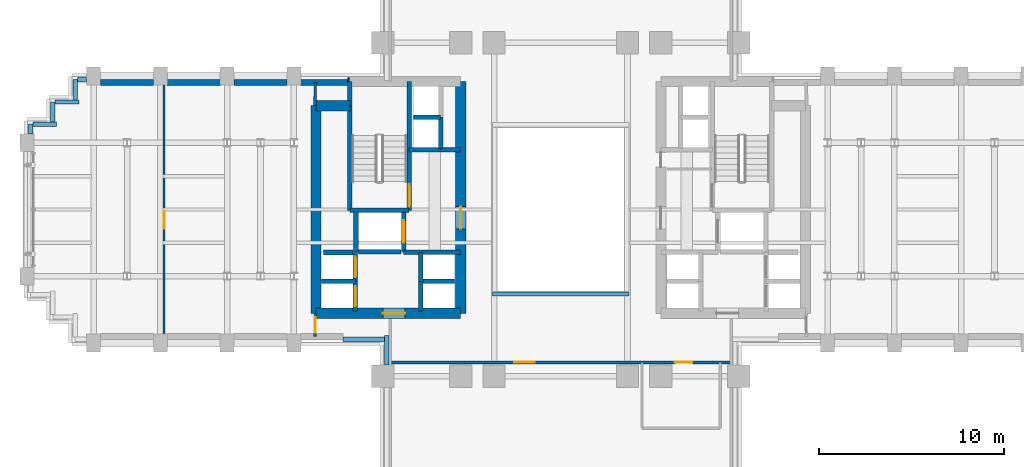
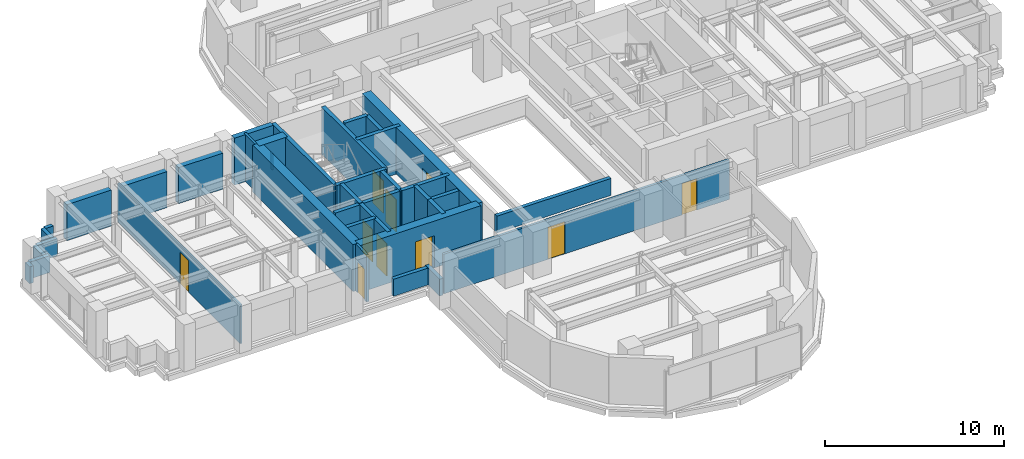
# One storey, part 10 of 16: 39 walls, 10 doors, 10 openings.
"""IFC4 building model written with IfcOpenShell, lengths in metres."""

from ifc_helpers import new_model, si_unit, direction, frame, frame_2d, origin, place, context, subcontext, project, spatial, rectangle, extrude, source, transform, mapped, material, layer, layer_set, type_object, element, fill, save


model = new_model("IFC4")

# Units and contexts
model_context = context("Model", 3, precision=1e-05, world=origin(), true_north=direction((0.0, 1.0)))
body_context = subcontext(model_context, "Body", "Model", "MODEL_VIEW")
ifc_project = project(units=[si_unit("LENGTHUNIT", "METRE"), si_unit("AREAUNIT", "SQUARE_METRE"), si_unit("VOLUMEUNIT", "CUBIC_METRE"), si_unit("PLANEANGLEUNIT", "RADIAN"), si_unit("MASSUNIT", "GRAM", prefix="KILO")], contexts=[model_context])

# Site, building, storey
site_placement = place(None, origin())
site = spatial("IfcSite", under=ifc_project, at=site_placement, CompositionType="ELEMENT")
building_placement = place(site_placement, origin())
building = spatial("IfcBuilding", under=site, at=building_placement, Name="Keilestroom Media Tower", CompositionType="ELEMENT")
storey_placement = place(building_placement, frame((0.0, 0.0, 64.60009765625)))
storey = spatial("IfcBuildingStorey", under=building, at=storey_placement, Name="L16", CompositionType="ELEMENT", Elevation=64.60009765625)

# Walls
ifc_material_1 = material(Name="Precast concrete C40/50", Category="concrete")
ifc_layer_1 = layer(ifc_material_1, 0.340087890625)
ifc_layer_set_1 = layer_set([ifc_layer_1], Name="Precast concrete C40/50")
wall_type_1 = type_object("IfcWallType", Name="Exterior-Masonry-Spandrel-Wall-340", PredefinedType="SOLIDWALL", material=ifc_layer_set_1)
for number, where, z_axis, x_axis, name in (
    (1, (-24.8330078125, 6.85009765625, 0.0), (0.0, 0.0, 1.0), (1.0, 0.0, 0.0), "L16 Flank Masonry Wall EWL-L16-NW-1"),
    (2, (-21.23291015625, 6.85009765625, 0.0), (0.0, 0.0, 1.0), (1.0, 0.0, 0.0), "L16 Flank Masonry Wall EWL-L16-NW-2"),
    (3, (-17.633056640625, 6.85009765625, 0.0), (0.0, 0.0, 1.0), (1.0, 0.0, 0.0), "L16 Flank Masonry Wall EWL-L16-NW-3"),
):
    element("IfcWall", number, at=place(storey_placement, frame(where, z_axis=z_axis, x_axis=x_axis)), inside=storey, type_object=wall_type_1, Name=name, PredefinedType="SOLIDWALL", context=body_context, shape_type="SweptSolid", body=[
        extrude(rectangle(XDim=2.865966796875, YDim=0.340087890625, at=frame_2d((1.43310546875, 0.0))), origin(), (0.0, 0.0, 1.0), 2.449951171875),
    ])
wall_1_placement = place(storey_placement, frame((-14.032958984375, 6.85009765625, 0.0), z_axis=(0.0, 0.0, 1.0), x_axis=(1.0, 0.0, 0.0)))
element("IfcWall", 4, at=wall_1_placement, inside=storey, type_object=wall_type_1, Name="L16 Flank Masonry Wall EWL-L16-NW-4", PredefinedType="SOLIDWALL", context=body_context, shape_type="SweptSolid", body=[
    extrude(rectangle(XDim=2.534912109375, YDim=0.340087890625, at=frame_2d((1.267578125, 0.0))), origin(), (0.0, 0.0, 1.0), 3.199951171875),
])

# Wall, opening, door
ifc_material_2 = material(Name="Gypsum Plasterboard & Steel Stud", Category="steel")
ifc_layer_2 = layer(ifc_material_2, 0.1201171875)
ifc_layer_set_2 = layer_set([ifc_layer_2], Name="Gypsum Plasterboard & Steel Stud")
wall_type_2 = type_object("IfcWallType", Name="Interior-Partition-Wall-120", PredefinedType="PARTITIONING", material=ifc_layer_set_2)
wall_2_placement = place(storey_placement, frame((-21.39990234375, -6.85009765625, 0.0), z_axis=(0.0, 0.0, 1.0), x_axis=(0.0, 1.0, 0.0)))
wall_2 = element("IfcWall", 5, at=wall_2_placement, inside=storey, type_object=wall_type_2, Name="L16 Interior Wall WP-L16-WA-V", PredefinedType="PARTITIONING", context=body_context, shape_type="SweptSolid", body=[
    extrude(rectangle(XDim=13.7001953125, YDim=0.1201171875, at=frame_2d((6.85009765625, 0.0))), origin(), (0.0, 0.0, 1.0), 2.64990234375),
])
opening_1_placement = place(wall_2_placement, frame((5.800048828125, 0.0, 0.0)))
opening_1 = element("IfcOpeningElement", 6, at=opening_1_placement, cuts=wall_2, Name="Opening DI-03", PredefinedType="OPENING", context=body_context, shape_type="SweptSolid", body=[
    extrude(rectangle(XDim=0.949951171875, YDim=2.14990234375, at=frame_2d((0.47509765625, 1.074951171875))), frame((0.0, 0.070068359375, 0.0), z_axis=(0.0, -1.0, 0.0), x_axis=(1.0, 0.0, 0.0)), (0.0, 0.0, 1.0), 0.14013671875),
])
ifc_material_3 = material(Name="Lacquered European Oak Leaf", Category="wood")
door_type_1 = type_object("IfcDoorType", Name="Interior-Room-And-Suite-Door-DI-03", OperationType="NOTDEFINED", PredefinedType="DOOR", material=ifc_material_3)
shared_shape_1 = source(origin(), body_context, "Body", "SweptSolid", [
    extrude(rectangle(XDim=0.949951171875, YDim=2.14990234375, at=frame_2d((0.47509765625, 1.074951171875))), frame((0.0, 0.02490234375, 0.0), z_axis=(0.0, -1.0, 0.0), x_axis=(1.0, 0.0, 0.0)), (0.0, 0.0, 1.0), 0.050048828125),
])
door_1_placement = place(opening_1_placement, origin())
door_1 = element("IfcDoor", 7, at=door_1_placement, inside=storey, type_object=door_type_1, Name="L16 Interior Door DI-L16-DWA-W", OperationType="SINGLE_SWING_LEFT", OverallHeight=2.14990234375, OverallWidth=0.949951171875, PredefinedType="DOOR", context=body_context, shape_type="MappedRepresentation", body=[
    mapped(shared_shape_1, transform((0.0, 0.0, 0.0), x_axis=(1.0, 0.0, 0.0), y_axis=(0.0, 1.0, 0.0), z_axis=(0.0, 0.0, 1.0), scale=1.0)),
])
fill(opening_1, door_1)

# Wall, openings, doors
ifc_layer_3 = layer(ifc_material_2, 0.14990234375)
ifc_layer_set_3 = layer_set([ifc_layer_3], Name="Gypsum Plasterboard & Steel Stud")
wall_type_3 = type_object("IfcWallType", Name="Interior-Partition-Wall-150", PredefinedType="PARTITIONING", material=ifc_layer_set_3)
wall_3_placement = place(storey_placement, frame((-9.199951171875, -8.25, 0.0), z_axis=(0.0, 0.0, 1.0), x_axis=(1.0, 0.0, 0.0)))
wall_3 = element("IfcWall", 8, at=wall_3_placement, inside=storey, type_object=wall_type_3, Name="L16 Interior Wall WP-L16-SL-BASE", PredefinedType="PARTITIONING", context=body_context, shape_type="SweptSolid", body=[
    extrude(rectangle(XDim=18.39990234375, YDim=0.14990234375, at=frame_2d((9.199951171875, 0.0))), origin(), (0.0, 0.0, 1.0), 2.699951171875),
])
opening_2_placement = place(wall_3_placement, frame((15.35009765625, 0.0, 0.0)))
opening_2 = element("IfcOpeningElement", 9, at=opening_2_placement, cuts=wall_3, Name="Opening DI-03", PredefinedType="OPENING", context=body_context, shape_type="SweptSolid", body=[
    extrude(rectangle(XDim=0.949951171875, YDim=2.14990234375, at=frame_2d((0.47509765625, 1.074951171875))), frame((0.0, 0.0849609375, 0.0), z_axis=(0.0, -1.0, 0.0), x_axis=(1.0, 0.0, 0.0)), (0.0, 0.0, 1.0), 0.169921875),
])
opening_3_placement = place(wall_3_placement, frame((6.699951171875, 0.0, 0.0)))
opening_3 = element("IfcOpeningElement", 10, at=opening_3_placement, cuts=wall_3, Name="Opening DI-04", PredefinedType="OPENING", context=body_context, shape_type="SweptSolid", body=[
    extrude(rectangle(XDim=1.10009765625, YDim=2.199951171875, at=frame_2d((0.550048828125, 1.10009765625))), frame((0.0, 0.0849609375, 0.0), z_axis=(0.0, -1.0, 0.0), x_axis=(1.0, 0.0, 0.0)), (0.0, 0.0, 1.0), 0.169921875),
])
door_2_placement = place(opening_2_placement, origin())
door_2 = element("IfcDoor", 11, at=door_2_placement, inside=storey, type_object=door_type_1, Name="L16 Interior Door DI-L16-DSL-WC", OperationType="SINGLE_SWING_RIGHT", OverallHeight=2.14990234375, OverallWidth=0.949951171875, PredefinedType="DOOR", context=body_context, shape_type="MappedRepresentation", body=[
    mapped(shared_shape_1, transform((0.0, 0.0, 0.0), x_axis=(1.0, 0.0, 0.0), y_axis=(0.0, 1.0, 0.0), z_axis=(0.0, 0.0, 1.0), scale=1.0)),
])
fill(opening_2, door_2)
ifc_material_4 = material(Name="Acoustic Glazed Aluminium Leaf", Category="aluminium")
door_type_2 = type_object("IfcDoorType", Name="Interior-Room-And-Suite-Door-DI-04", OperationType="NOTDEFINED", PredefinedType="DOOR", material=ifc_material_4)
shared_shape_2 = source(origin(), body_context, "Body", "SweptSolid", [
    extrude(rectangle(XDim=1.10009765625, YDim=2.199951171875, at=frame_2d((0.550048828125, 1.10009765625))), frame((0.0, 0.02490234375, 0.0), z_axis=(0.0, -1.0, 0.0), x_axis=(1.0, 0.0, 0.0)), (0.0, 0.0, 1.0), 0.050048828125),
])
door_3_placement = place(opening_3_placement, origin())
door_3 = element("IfcDoor", 12, at=door_3_placement, inside=storey, type_object=door_type_2, Name="L16 Interior Door DI-L16-DSL-MAIN", OperationType="SINGLE_SWING_LEFT", OverallHeight=2.199951171875, OverallWidth=1.10009765625, PredefinedType="DOOR", context=body_context, shape_type="MappedRepresentation", body=[
    mapped(shared_shape_2, transform((0.0, 0.0, 0.0), x_axis=(1.0, 0.0, 0.0), y_axis=(0.0, 1.0, 0.0), z_axis=(0.0, 0.0, 1.0), scale=1.0)),
])
fill(opening_3, door_3)

# Wall
wall_4_placement = place(storey_placement, frame((-13.260009765625, 5.60009765625, 0.0), z_axis=(0.0, 0.0, 1.0), x_axis=(0.016013571389, 0.999871774545, 0.0)))
element("IfcWall", 13, at=wall_4_placement, inside=storey, type_object=wall_type_3, Name="L16 Interior Wall WP-L16-WA-ENTN", PredefinedType="PARTITIONING", context=body_context, shape_type="SweptSolid", body=[
    extrude(rectangle(XDim=1.250244140625, YDim=0.14990234375, at=frame_2d((0.625, 0.0))), origin(), (0.0, 0.0, 1.0), 3.199951171875),
])

# Wall, opening, door
wall_5_placement = place(storey_placement, frame((-13.260009765625, -6.85009765625, 0.0), z_axis=(0.0, 0.0, 1.0), x_axis=(0.016013571389, 0.999871774545, 0.0)))
wall_5 = element("IfcWall", 14, at=wall_5_placement, inside=storey, type_object=wall_type_3, Name="L16 Interior Wall WP-L16-WA-ENTS", PredefinedType="PARTITIONING", context=body_context, shape_type="SweptSolid", body=[
    extrude(rectangle(XDim=1.250244140625, YDim=0.14990234375, at=frame_2d((0.625, 0.0))), origin(), (0.0, 0.0, 1.0), 3.199951171875),
])
opening_4_placement = place(wall_5_placement, frame((0.199951171875, 0.0, 0.0)))
opening_4 = element("IfcOpeningElement", 15, at=opening_4_placement, cuts=wall_5, Name="Opening DI-05", PredefinedType="OPENING", context=body_context, shape_type="SweptSolid", body=[
    extrude(rectangle(XDim=0.85009765625, YDim=2.10009765625, at=frame_2d((0.425048828125, 1.050048828125))), frame((0.0, 0.0849609375, 0.0), z_axis=(0.0, -1.0, 0.0), x_axis=(1.0, 0.0, 0.0)), (0.0, 0.0, 1.0), 0.169921875),
])
ifc_material_5 = material(Name="Moisture-Resistant Oak Leaf", Category="wood")
door_type_3 = type_object("IfcDoorType", Name="Interior-En-Suite-And-Cupboard-Door-DI-05", OperationType="NOTDEFINED", PredefinedType="DOOR", material=ifc_material_5)
shared_shape_3 = source(origin(), body_context, "Body", "SweptSolid", [
    extrude(rectangle(XDim=0.85009765625, YDim=2.10009765625, at=frame_2d((0.425048828125, 1.050048828125))), frame((0.0, 0.02490234375, 0.0), z_axis=(0.0, -1.0, 0.0), x_axis=(1.0, 0.0, 0.0)), (0.0, 0.0, 1.0), 0.050048828125),
])
door_4_placement = place(opening_4_placement, origin())
door_4 = element("IfcDoor", 16, at=door_4_placement, inside=storey, type_object=door_type_3, Name="L16 Interior Door DI-L16-DWA-E", OperationType="SINGLE_SWING_RIGHT", OverallHeight=2.10009765625, OverallWidth=0.85009765625, PredefinedType="DOOR", context=body_context, shape_type="MappedRepresentation", body=[
    mapped(shared_shape_3, transform((0.0, 0.0, 0.0), x_axis=(1.0, 0.0, 0.0), y_axis=(0.0, 1.0, 0.0), z_axis=(0.0, 0.0, 1.0), scale=1.0)),
])
fill(opening_4, door_4)

# Wall
ifc_material_6 = material(Name="Concrete C70/85", Category="concrete")
ifc_layer_4 = layer(ifc_material_6, 0.550048828125)
ifc_layer_set_4 = layer_set([ifc_layer_4], Name="Concrete C70/85")
wall_type_4 = type_object("IfcWallType", Name="Reinforced-Concrete-Core-Shear-Wall-550", PredefinedType="SHEAR", material=ifc_layer_set_4)
wall_6_placement = place(storey_placement, frame((-13.199951171875, -5.60009765625, 0.0), z_axis=(0.0, 0.0, 1.0), x_axis=(0.0, 1.0, 0.0)))
element("IfcWall", 17, at=wall_6_placement, inside=storey, type_object=wall_type_4, Name="L16 Core Shear Wall WL-L16-CORE-W-OUT", PredefinedType="SHEAR", context=body_context, shape_type="SweptSolid", body=[
    extrude(rectangle(XDim=11.2001953125, YDim=0.550048828125, at=frame_2d((5.60009765625, 0.0))), origin(), (0.0, 0.0, 1.0), 3.199951171875),
])

# Wall, opening, door
wall_7_placement = place(storey_placement, frame((-5.39990234375, -5.60009765625, 0.0), z_axis=(0.0, 0.0, 1.0), x_axis=(0.0, 1.0, 0.0)))
wall_7 = element("IfcWall", 18, at=wall_7_placement, inside=storey, type_object=wall_type_4, Name="L16 Core Shear Wall WL-L16-CORE-W-IN", PredefinedType="SHEAR", context=body_context, shape_type="SweptSolid", body=[
    extrude(rectangle(XDim=12.5, YDim=0.550048828125, at=frame_2d((6.25, 0.0))), origin(), (0.0, 0.0, 1.0), 3.199951171875),
])
opening_5_placement = place(wall_7_placement, frame((4.550048828125, 0.0, 0.0)))
opening_5 = element("IfcOpeningElement", 19, at=opening_5_placement, cuts=wall_7, Name="Opening DI-02", PredefinedType="OPENING", context=body_context, shape_type="SweptSolid", body=[
    extrude(rectangle(XDim=1.199951171875, YDim=2.199951171875, at=frame_2d((0.60009765625, 1.10009765625))), frame((0.0, 0.28515625, 0.0), z_axis=(0.0, -1.0, 0.0), x_axis=(1.0, 0.0, 0.0)), (0.0, 0.0, 1.0), 0.570068359375),
])
ifc_material_7 = material(Name="Powder-Coated Steel Fire Leaf", Category="steel")
door_type_4 = type_object("IfcDoorType", Name="Interior-Compartment-Fire-Door-DI-02", OperationType="NOTDEFINED", PredefinedType="DOOR", material=ifc_material_7)
shared_shape_4 = source(origin(), body_context, "Body", "SweptSolid", [
    extrude(rectangle(XDim=1.199951171875, YDim=2.199951171875, at=frame_2d((0.60009765625, 1.10009765625))), frame((0.0, 0.02490234375, 0.0), z_axis=(0.0, -1.0, 0.0), x_axis=(1.0, 0.0, 0.0)), (0.0, 0.0, 1.0), 0.050048828125),
])
door_5_placement = place(opening_5_placement, origin())
door_5 = element("IfcDoor", 20, at=door_5_placement, inside=storey, type_object=door_type_4, Name="L16 W Firefighting Lobby Door", OperationType="SINGLE_SWING_RIGHT", OverallHeight=2.199951171875, OverallWidth=1.199951171875, PredefinedType="DOOR", context=body_context, shape_type="MappedRepresentation", body=[
    mapped(shared_shape_4, transform((0.0, 0.0, 0.0), x_axis=(1.0, 0.0, 0.0), y_axis=(0.0, 1.0, 0.0), z_axis=(0.0, 0.0, 1.0), scale=1.0)),
])
fill(opening_5, door_5)

# Wall
wall_8_placement = place(storey_placement, frame((-13.199951171875, 5.60009765625, 0.0), z_axis=(0.0, 0.0, 1.0), x_axis=(1.0, 0.0, 0.0)))
element("IfcWall", 21, at=wall_8_placement, inside=storey, type_object=wall_type_4, Name="L16 Core Shear Wall WL-L16-CNW-N", PredefinedType="SHEAR", context=body_context, shape_type="SweptSolid", body=[
    extrude(rectangle(XDim=1.81884765625, YDim=0.550048828125, at=frame_2d((0.909423828125, 0.0))), origin(), (0.0, 0.0, 1.0), 3.199951171875),
])

# Wall, opening, door
wall_9_placement = place(storey_placement, frame((-13.199951171875, -5.60009765625, 0.0), z_axis=(0.0, 0.0, 1.0), x_axis=(1.0, 0.0, 0.0)))
wall_9 = element("IfcWall", 22, at=wall_9_placement, inside=storey, type_object=wall_type_4, Name="L16 Core Shear Wall WL-L16-CORE-W-S", PredefinedType="SHEAR", context=body_context, shape_type="SweptSolid", body=[
    extrude(rectangle(XDim=7.800048828125, YDim=0.550048828125, at=frame_2d((3.89990234375, 0.0))), origin(), (0.0, 0.0, 1.0), 3.199951171875),
])
opening_6_placement = place(wall_9_placement, frame((3.60009765625, 0.0, 0.0)))
opening_6 = element("IfcOpeningElement", 23, at=opening_6_placement, cuts=wall_9, Name="Opening DI-02", PredefinedType="OPENING", context=body_context, shape_type="SweptSolid", body=[
    extrude(rectangle(XDim=1.199951171875, YDim=2.199951171875, at=frame_2d((0.60009765625, 1.10009765625))), frame((0.0, 0.28515625, 0.0), z_axis=(0.0, -1.0, 0.0), x_axis=(1.0, 0.0, 0.0)), (0.0, 0.0, 1.0), 0.570068359375),
])
door_6_placement = place(opening_6_placement, origin())
door_6 = element("IfcDoor", 24, at=door_6_placement, inside=storey, type_object=door_type_4, Name="L16 W Passenger Lift Lobby Door", OperationType="SINGLE_SWING_LEFT", OverallHeight=2.199951171875, OverallWidth=1.199951171875, PredefinedType="DOOR", context=body_context, shape_type="MappedRepresentation", body=[
    mapped(shared_shape_4, transform((0.0, 0.0, 0.0), x_axis=(1.0, 0.0, 0.0), y_axis=(0.0, 1.0, 0.0), z_axis=(0.0, 0.0, 1.0), scale=1.0)),
])
fill(opening_6, door_6)

# Walls
ifc_material_8 = material(Name="Concrete C50/60", Category="concrete")
ifc_layer_5 = layer(ifc_material_8, 0.25)
ifc_layer_set_5 = layer_set([ifc_layer_5], Name="Concrete C50/60")
wall_type_5 = type_object("IfcWallType", Name="Reinforced-Concrete-Shaft-Wall-250", PredefinedType="SOLIDWALL", material=ifc_layer_set_5)
wall_10_placement = place(storey_placement, frame((-8.179931640625, 3.219970703125, 0.0), z_axis=(0.0, 0.0, 1.0), x_axis=(1.0, 0.0, 0.0)))
element("IfcWall", 25, at=wall_10_placement, inside=storey, type_object=wall_type_5, Name="L16 Core Shear Wall WL-L16-CORE-W-FFN", PredefinedType="SOLIDWALL", context=body_context, shape_type="SweptSolid", body=[
    extrude(rectangle(XDim=2.780029296875, YDim=0.25, at=frame_2d((1.39013671875, 0.0))), origin(), (0.0, 0.0, 1.0), 3.199951171875),
])
wall_11_placement = place(storey_placement, frame((-8.47998046875, -2.300048828125, 0.0), z_axis=(0.0, 0.0, 1.0), x_axis=(1.0, 0.0, 0.0)))
element("IfcWall", 26, at=wall_11_placement, inside=storey, type_object=wall_type_5, Name="L16 Core Shear Wall WL-L16-CORE-W-FFS", PredefinedType="SOLIDWALL", context=body_context, shape_type="SweptSolid", body=[
    extrude(rectangle(XDim=3.080078125, YDim=0.25, at=frame_2d((1.5400390625, 0.0))), origin(), (0.0, 0.0, 1.0), 3.199951171875),
])

# Wall, opening, door
wall_12_placement = place(storey_placement, frame((-8.178955078125, -0.041015625, 0.0), z_axis=(0.0, 0.0, 1.0), x_axis=(0.0, 1.0, 0.0)))
wall_12 = element("IfcWall", 27, at=wall_12_placement, inside=storey, type_object=wall_type_5, Name="L16 Core Shear Wall WL-L16-STW-W-NEAR", PredefinedType="SOLIDWALL", context=body_context, shape_type="SweptSolid", body=[
    extrude(rectangle(XDim=6.94091796875, YDim=0.25, at=frame_2d((3.470458984375, 0.0))), origin(), (0.0, 0.0, 1.0), 3.199951171875),
])
opening_7_placement = place(wall_12_placement, frame((0.199951171875, 0.0, 0.0)))
opening_7 = element("IfcOpeningElement", 28, at=opening_7_placement, cuts=wall_12, Name="Opening DI-01S", PredefinedType="OPENING", context=body_context, shape_type="SweptSolid", body=[
    extrude(rectangle(XDim=1.199951171875, YDim=2.199951171875, at=frame_2d((0.60009765625, 1.10009765625))), frame((0.0, 0.135009765625, 0.0), z_axis=(0.0, -1.0, 0.0), x_axis=(1.0, 0.0, 0.0)), (0.0, 0.0, 1.0), 0.27001953125),
])
door_type_5 = type_object("IfcDoorType", Name="Interior-Stair-And-Core-Fire-Door-DI-01", OperationType="NOTDEFINED", PredefinedType="DOOR", material=ifc_material_7)
door_7_placement = place(opening_7_placement, origin())
door_7 = element("IfcDoor", 29, at=door_7_placement, inside=storey, type_object=door_type_5, Name="L16 Escape Stair ST-1 Fire Door", OperationType="SINGLE_SWING_LEFT", OverallHeight=2.199951171875, OverallWidth=1.199951171875, PredefinedType="DOOR", context=body_context, shape_type="MappedRepresentation", body=[
    mapped(shared_shape_4, transform((0.0, 0.0, 0.0), x_axis=(1.0, 0.0, 0.0), y_axis=(0.0, 1.0, 0.0), z_axis=(0.0, 0.0, 1.0), scale=1.0)),
])
fill(opening_7, door_7)

# Walls
wall_13_placement = place(storey_placement, frame((-11.381103515625, -0.041015625, 0.0), z_axis=(0.0, 0.0, 1.0), x_axis=(0.0, 1.0, 0.0)))
element("IfcWall", 30, at=wall_13_placement, inside=storey, type_object=wall_type_5, Name="L16 Core Shear Wall WL-L16-STW-W-FAR", PredefinedType="SOLIDWALL", context=body_context, shape_type="SweptSolid", body=[
    extrude(rectangle(XDim=6.94091796875, YDim=0.25, at=frame_2d((3.470458984375, 0.0))), origin(), (0.0, 0.0, 1.0), 3.199951171875),
])
wall_14_placement = place(storey_placement, frame((-11.381103515625, -0.041015625, 0.0), z_axis=(0.0, 0.0, 1.0), x_axis=(1.0, 0.0, 0.0)))
element("IfcWall", 31, at=wall_14_placement, inside=storey, type_object=wall_type_5, Name="L16 Core Shear Wall WL-L16-STW-W-S", PredefinedType="SOLIDWALL", context=body_context, shape_type="SweptSolid", body=[
    extrude(rectangle(XDim=3.2021484375, YDim=0.25, at=frame_2d((1.60107421875, 0.0))), origin(), (0.0, 0.0, 1.0), 3.199951171875),
])
wall_15_placement = place(storey_placement, frame((-11.050048828125, -2.280029296875, 0.0), z_axis=(0.0, 0.0, 1.0), x_axis=(0.0, 1.0, 0.0)))
element("IfcWall", 32, at=wall_15_placement, inside=storey, type_object=wall_type_5, Name="L16 Core Shear Wall WL-L16-LSH-FFL-1-W", PredefinedType="SOLIDWALL", context=body_context, shape_type="SweptSolid", body=[
    extrude(rectangle(XDim=2.179931640625, YDim=0.25, at=frame_2d((1.08984375, 0.0))), origin(), (0.0, 0.0, 1.0), 3.199951171875),
])

# Wall, opening, door
wall_16_placement = place(storey_placement, frame((-8.47998046875, -2.280029296875, 0.0), z_axis=(0.0, 0.0, 1.0), x_axis=(0.0, 1.0, 0.0)))
wall_16 = element("IfcWall", 33, at=wall_16_placement, inside=storey, type_object=wall_type_5, Name="L16 Core Shear Wall WL-L16-LSH-FFL-1-E", PredefinedType="SOLIDWALL", context=body_context, shape_type="SweptSolid", body=[
    extrude(rectangle(XDim=2.179931640625, YDim=0.25, at=frame_2d((1.08984375, 0.0))), origin(), (0.0, 0.0, 1.0), 3.199951171875),
])
opening_8_placement = place(wall_16_placement, frame((0.489990234375, 0.0, 0.0)))
opening_8 = element("IfcOpeningElement", 34, at=opening_8_placement, cuts=wall_16, Name="Opening LD-02", PredefinedType="OPENING", context=body_context, shape_type="SweptSolid", body=[
    extrude(rectangle(XDim=1.199951171875, YDim=2.199951171875, at=frame_2d((0.60009765625, 1.10009765625))), frame((0.0, 0.135009765625, 0.0), z_axis=(0.0, -1.0, 0.0), x_axis=(1.0, 0.0, 0.0)), (0.0, 0.0, 1.0), 0.27001953125),
])
ifc_material_9 = material(Name="Brushed Stainless Steel Sliding Leaf", Category="steel")
door_type_6 = type_object("IfcDoorType", Name="Lift-Landing-Sliding-Door-LD-02", OperationType="SLIDING_TO_RIGHT", PredefinedType="DOOR", material=ifc_material_9)
door_8_placement = place(opening_8_placement, origin())
door_8 = element("IfcDoor", 35, at=door_8_placement, inside=storey, type_object=door_type_6, Name="L16 Lift FFL-1 Landing Sliding Door", OperationType="SLIDING_TO_RIGHT", OverallHeight=2.199951171875, OverallWidth=1.199951171875, PredefinedType="DOOR", context=body_context, shape_type="MappedRepresentation", body=[
    mapped(shared_shape_4, transform((0.0, 0.0, 0.0), x_axis=(1.0, 0.0, 0.0), y_axis=(0.0, 1.0, 0.0), z_axis=(0.0, 0.0, 1.0), scale=1.0)),
])
fill(opening_8, door_8)

# Wall
wall_17_placement = place(storey_placement, frame((-10.9208984375, -2.280029296875, 0.0), z_axis=(0.0, 0.0, 1.0), x_axis=(1.0, 0.0, 0.0)))
element("IfcWall", 36, at=wall_17_placement, inside=storey, type_object=wall_type_5, Name="L16 Core Shear Wall WL-L16-LSH-FFL-1-S", PredefinedType="SOLIDWALL", context=body_context, shape_type="SweptSolid", body=[
    extrude(rectangle(XDim=2.31201171875, YDim=0.25, at=frame_2d((1.156005859375, 0.0))), origin(), (0.0, 0.0, 1.0), 3.199951171875),
])

# Wall, opening, door
wall_18_placement = place(storey_placement, frame((-11.080078125, -5.47998046875, 0.0), z_axis=(0.0, 0.0, 1.0), x_axis=(0.0, 1.0, 0.0)))
wall_18 = element("IfcWall", 37, at=wall_18_placement, inside=storey, type_object=wall_type_5, Name="L16 Core Shear Wall WL-L16-LSH-PL-L1-E", PredefinedType="SOLIDWALL", context=body_context, shape_type="SweptSolid", body=[
    extrude(rectangle(XDim=1.60009765625, YDim=0.25, at=frame_2d((0.800048828125, 0.0))), origin(), (0.0, 0.0, 1.0), 3.199951171875),
])
opening_9_placement = place(wall_18_placement, frame((0.25, 0.0, 0.0)))
opening_9 = element("IfcOpeningElement", 38, at=opening_9_placement, cuts=wall_18, Name="Opening LD-01", PredefinedType="OPENING", context=body_context, shape_type="SweptSolid", body=[
    extrude(rectangle(XDim=1.10009765625, YDim=2.199951171875, at=frame_2d((0.550048828125, 1.10009765625))), frame((0.0, 0.135009765625, 0.0), z_axis=(0.0, -1.0, 0.0), x_axis=(1.0, 0.0, 0.0)), (0.0, 0.0, 1.0), 0.27001953125),
])
door_type_7 = type_object("IfcDoorType", Name="Lift-Landing-Sliding-Door-LD-01", OperationType="SLIDING_TO_LEFT", PredefinedType="DOOR", material=ifc_material_9)
door_9_placement = place(opening_9_placement, origin())
door_9 = element("IfcDoor", 39, at=door_9_placement, inside=storey, type_object=door_type_7, Name="L16 Lift PL-L1 Landing Sliding Door", OperationType="SLIDING_TO_LEFT", OverallHeight=2.199951171875, OverallWidth=1.10009765625, PredefinedType="DOOR", context=body_context, shape_type="MappedRepresentation", body=[
    mapped(shared_shape_2, transform((0.0, 0.0, 0.0), x_axis=(1.0, 0.0, 0.0), y_axis=(0.0, 1.0, 0.0), z_axis=(0.0, 0.0, 1.0), scale=1.0)),
])
fill(opening_9, door_9)

# Wall
wall_19_placement = place(storey_placement, frame((-12.919921875, -3.8798828125, 0.0), z_axis=(0.0, 0.0, 1.0), x_axis=(1.0, 0.0, 0.0)))
element("IfcWall", 40, at=wall_19_placement, inside=storey, type_object=wall_type_5, Name="L16 Core Shear Wall WL-L16-LSH-PL-L1-N", PredefinedType="SOLIDWALL", context=body_context, shape_type="SweptSolid", body=[
    extrude(rectangle(XDim=1.83984375, YDim=0.25, at=frame_2d((0.919921875, 0.0))), origin(), (0.0, 0.0, 1.0), 3.199951171875),
])

# Wall, opening, door
wall_20_placement = place(storey_placement, frame((-11.080078125, -3.8798828125, 0.0), z_axis=(0.0, 0.0, 1.0), x_axis=(0.0, 1.0, 0.0)))
wall_20 = element("IfcWall", 41, at=wall_20_placement, inside=storey, type_object=wall_type_5, Name="L16 Core Shear Wall WL-L16-LSH-PL-L2-E", PredefinedType="SOLIDWALL", context=body_context, shape_type="SweptSolid", body=[
    extrude(rectangle(XDim=1.559814453125, YDim=0.25, at=frame_2d((0.77978515625, 0.0))), origin(), (0.0, 0.0, 1.0), 3.199951171875),
])
opening_10_placement = place(wall_20_placement, frame((0.22998046875, 0.0, 0.0)))
opening_10 = element("IfcOpeningElement", 42, at=opening_10_placement, cuts=wall_20, Name="Opening LD-01", PredefinedType="OPENING", context=body_context, shape_type="SweptSolid", body=[
    extrude(rectangle(XDim=1.10009765625, YDim=2.199951171875, at=frame_2d((0.550048828125, 1.10009765625))), frame((0.0, 0.135009765625, 0.0), z_axis=(0.0, -1.0, 0.0), x_axis=(1.0, 0.0, 0.0)), (0.0, 0.0, 1.0), 0.27001953125),
])
door_10_placement = place(opening_10_placement, origin())
door_10 = element("IfcDoor", 43, at=door_10_placement, inside=storey, type_object=door_type_7, Name="L16 Lift PL-L2 Landing Sliding Door", OperationType="SLIDING_TO_LEFT", OverallHeight=2.199951171875, OverallWidth=1.10009765625, PredefinedType="DOOR", context=body_context, shape_type="MappedRepresentation", body=[
    mapped(shared_shape_2, transform((0.0, 0.0, 0.0), x_axis=(1.0, 0.0, 0.0), y_axis=(0.0, 1.0, 0.0), z_axis=(0.0, 0.0, 1.0), scale=1.0)),
])
fill(opening_10, door_10)

# Walls
wall_21_placement = place(storey_placement, frame((-12.791015625, -2.320068359375, 0.0), z_axis=(0.0, 0.0, 1.0), x_axis=(1.0, 0.0, 0.0)))
element("IfcWall", 44, at=wall_21_placement, inside=storey, type_object=wall_type_5, Name="L16 Core Shear Wall WL-L16-LSH-PL-L2-N", PredefinedType="SOLIDWALL", context=body_context, shape_type="SweptSolid", body=[
    extrude(rectangle(XDim=1.58203125, YDim=0.25, at=frame_2d((0.791015625, 0.0))), origin(), (0.0, 0.0, 1.0), 3.199951171875),
])
wall_22_placement = place(storey_placement, frame((-7.56005859375, -5.47998046875, 0.0), z_axis=(0.0, 0.0, 1.0), x_axis=(0.0, 1.0, 0.0)))
element("IfcWall", 45, at=wall_22_placement, inside=storey, type_object=wall_type_5, Name="L16 Core Shear Wall WL-L16-LSH-PL-M1-W", PredefinedType="SOLIDWALL", context=body_context, shape_type="SweptSolid", body=[
    extrude(rectangle(XDim=1.60009765625, YDim=0.25, at=frame_2d((0.800048828125, 0.0))), origin(), (0.0, 0.0, 1.0), 3.199951171875),
])
wall_23_placement = place(storey_placement, frame((-7.56005859375, -3.8798828125, 0.0), z_axis=(0.0, 0.0, 1.0), x_axis=(1.0, 0.0, 0.0)))
element("IfcWall", 46, at=wall_23_placement, inside=storey, type_object=wall_type_5, Name="L16 Core Shear Wall WL-L16-LSH-PL-M1-N", PredefinedType="SOLIDWALL", context=body_context, shape_type="SweptSolid", body=[
    extrude(rectangle(XDim=1.840087890625, YDim=0.25, at=frame_2d((0.919921875, 0.0))), origin(), (0.0, 0.0, 1.0), 3.199951171875),
])
wall_24_placement = place(storey_placement, frame((-7.56005859375, -3.8798828125, 0.0), z_axis=(0.0, 0.0, 1.0), x_axis=(0.0, 1.0, 0.0)))
element("IfcWall", 47, at=wall_24_placement, inside=storey, type_object=wall_type_5, Name="L16 Core Shear Wall WL-L16-LSH-PL-M2-W", PredefinedType="SOLIDWALL", context=body_context, shape_type="SweptSolid", body=[
    extrude(rectangle(XDim=1.559814453125, YDim=0.25, at=frame_2d((0.77978515625, 0.0))), origin(), (0.0, 0.0, 1.0), 3.199951171875),
])
wall_25_placement = place(storey_placement, frame((-6.47998046875, 3.300048828125, 0.0), z_axis=(0.0, 0.0, 1.0), x_axis=(0.0, 1.0, 0.0)))
element("IfcWall", 48, at=wall_25_placement, inside=storey, type_object=wall_type_5, Name="L16 Core Shear Wall WL-L16-LSH-PL-H1-E", PredefinedType="SOLIDWALL", context=body_context, shape_type="SweptSolid", body=[
    extrude(rectangle(XDim=1.679931640625, YDim=0.25, at=frame_2d((0.83984375, 0.0))), origin(), (0.0, 0.0, 1.0), 3.199951171875),
])
wall_26_placement = place(storey_placement, frame((-7.949951171875, 4.97998046875, 0.0), z_axis=(0.0, 0.0, 1.0), x_axis=(1.0, 0.0, 0.0)))
element("IfcWall", 49, at=wall_26_placement, inside=storey, type_object=wall_type_5, Name="L16 Core Shear Wall WL-L16-LSH-PL-H1-N", PredefinedType="SOLIDWALL", context=body_context, shape_type="SweptSolid", body=[
    extrude(rectangle(XDim=1.469970703125, YDim=0.25, at=frame_2d((0.73486328125, 0.0))), origin(), (0.0, 0.0, 1.0), 3.199951171875),
])
ifc_layer_6 = layer(ifc_material_1, 0.239990234375)
ifc_layer_set_6 = layer_set([ifc_layer_6], Name="Precast concrete C40/50")
wall_type_6 = type_object("IfcWallType", Name="Roof-And-Terrace-Parapet-Wall-240", PredefinedType="PARAPET", material=ifc_layer_set_6)
wall_27_placement = place(storey_placement, frame((-9.39990234375, -8.39697265625, 0.0), z_axis=(0.0, 0.0, 1.0), x_axis=(0.0, 1.0, 0.0)))
element("IfcWall", 50, at=wall_27_placement, inside=storey, type_object=wall_type_6, Name="L16 Perimeter Edge Parapet Wall 11", PredefinedType="PARAPET", context=body_context, shape_type="SweptSolid", body=[
    extrude(rectangle(XDim=1.596923828125, YDim=0.239990234375, at=frame_2d((0.79833984375, 0.0))), origin(), (0.0, 0.0, 1.0), 1.14990234375),
])
wall_28_placement = place(storey_placement, frame((-9.52294921875, -7.0, 0.0), z_axis=(0.0, 0.0, 1.0), x_axis=(-1.0, 0.0, 0.0)))
element("IfcWall", 51, at=wall_28_placement, inside=storey, type_object=wall_type_6, Name="L16 Perimeter Edge Parapet Wall 12", PredefinedType="PARAPET", context=body_context, shape_type="SweptSolid", body=[
    extrude(rectangle(XDim=2.22412109375, YDim=0.239990234375, at=frame_2d((1.112060546875, 0.0))), origin(), (0.0, 0.0, 1.0), 1.14990234375),
])
wall_29_placement = place(storey_placement, frame((-28.60009765625, 4.077880859375, 0.0), z_axis=(0.0, 0.0, 1.0), x_axis=(0.0, 1.0, 0.0)))
element("IfcWall", 52, at=wall_29_placement, inside=storey, type_object=wall_type_6, Name="L16 Perimeter Edge Parapet Wall 19", PredefinedType="PARAPET", context=body_context, shape_type="SweptSolid", body=[
    extrude(rectangle(XDim=0.522216796875, YDim=0.239990234375, at=frame_2d((0.26123046875, 0.0))), origin(), (0.0, 0.0, 1.0), 1.14990234375),
])
wall_30_placement = place(storey_placement, frame((-28.47705078125, 4.60009765625, 0.0), z_axis=(0.0, 0.0, 1.0), x_axis=(1.0, 0.0, 0.0)))
element("IfcWall", 53, at=wall_30_placement, inside=storey, type_object=wall_type_6, Name="L16 Perimeter Edge Parapet Wall 20", PredefinedType="PARAPET", context=body_context, shape_type="SweptSolid", body=[
    extrude(rectangle(XDim=1.277099609375, YDim=0.239990234375, at=frame_2d((0.638671875, 0.0))), origin(), (0.0, 0.0, 1.0), 1.14990234375),
])
wall_31_placement = place(storey_placement, frame((-27.39990234375, 4.722900390625, 0.0), z_axis=(0.0, 0.0, 1.0), x_axis=(0.0, 1.0, 0.0)))
element("IfcWall", 54, at=wall_31_placement, inside=storey, type_object=wall_type_6, Name="L16 Perimeter Edge Parapet Wall 21", PredefinedType="PARAPET", context=body_context, shape_type="SweptSolid", body=[
    extrude(rectangle(XDim=1.0771484375, YDim=0.239990234375, at=frame_2d((0.53857421875, 0.0))), origin(), (0.0, 0.0, 1.0), 1.14990234375),
])
wall_32_placement = place(storey_placement, frame((-27.277099609375, 5.800048828125, 0.0), z_axis=(0.0, 0.0, 1.0), x_axis=(1.0, 0.0, 0.0)))
element("IfcWall", 55, at=wall_32_placement, inside=storey, type_object=wall_type_6, Name="L16 Perimeter Edge Parapet Wall 22", PredefinedType="PARAPET", context=body_context, shape_type="SweptSolid", body=[
    extrude(rectangle(XDim=1.277099609375, YDim=0.239990234375, at=frame_2d((0.638671875, 0.0))), origin(), (0.0, 0.0, 1.0), 1.14990234375),
])
wall_33_placement = place(storey_placement, frame((-26.199951171875, 5.923095703125, 0.0), z_axis=(0.0, 0.0, 1.0), x_axis=(0.0, 1.0, 0.0)))
element("IfcWall", 56, at=wall_33_placement, inside=storey, type_object=wall_type_6, Name="L16 Perimeter Edge Parapet Wall 23", PredefinedType="PARAPET", context=body_context, shape_type="SweptSolid", body=[
    extrude(rectangle(XDim=1.076904296875, YDim=0.239990234375, at=frame_2d((0.53857421875, 0.0))), origin(), (0.0, 0.0, 1.0), 1.14990234375),
])
wall_34_placement = place(storey_placement, frame((-26.076904296875, 7.0, 0.0), z_axis=(0.0, 0.0, 1.0), x_axis=(1.0, 0.0, 0.0)))
element("IfcWall", 57, at=wall_34_placement, inside=storey, type_object=wall_type_6, Name="L16 Perimeter Edge Parapet Wall 24", PredefinedType="PARAPET", context=body_context, shape_type="SweptSolid", body=[
    extrude(rectangle(XDim=0.4990234375, YDim=0.239990234375, at=frame_2d((0.24951171875, 0.0))), origin(), (0.0, 0.0, 1.0), 1.14990234375),
])
wall_35_placement = place(storey_placement, frame((-11.4951171875, 7.0, 0.0), z_axis=(0.0, 0.0, 1.0), x_axis=(1.0, 0.0, 0.0)))
element("IfcWall", 58, at=wall_35_placement, inside=storey, type_object=wall_type_6, Name="L16 Perimeter Edge Parapet Wall 25", PredefinedType="PARAPET", context=body_context, shape_type="SweptSolid", body=[
    extrude(rectangle(XDim=0.092041015625, YDim=0.239990234375, at=frame_2d((0.0458984375, 0.0))), origin(), (0.0, 0.0, 1.0), 1.14990234375),
])
wall_36_placement = place(storey_placement, frame((-3.679931640625, -4.56005859375, 0.0), z_axis=(0.0, 0.0, 1.0), x_axis=(1.0, 0.0, 0.0)))
element("IfcWall", 59, at=wall_36_placement, inside=storey, type_object=wall_type_6, Name="L16 Central Atrium Guard Parapet S", PredefinedType="PARAPET", context=body_context, shape_type="SweptSolid", body=[
    extrude(rectangle(XDim=7.35986328125, YDim=0.239990234375, at=frame_2d((3.679931640625, 0.0))), origin(), (0.0, 0.0, 1.0), 1.14990234375),
])

save(model, "model.ifc")
